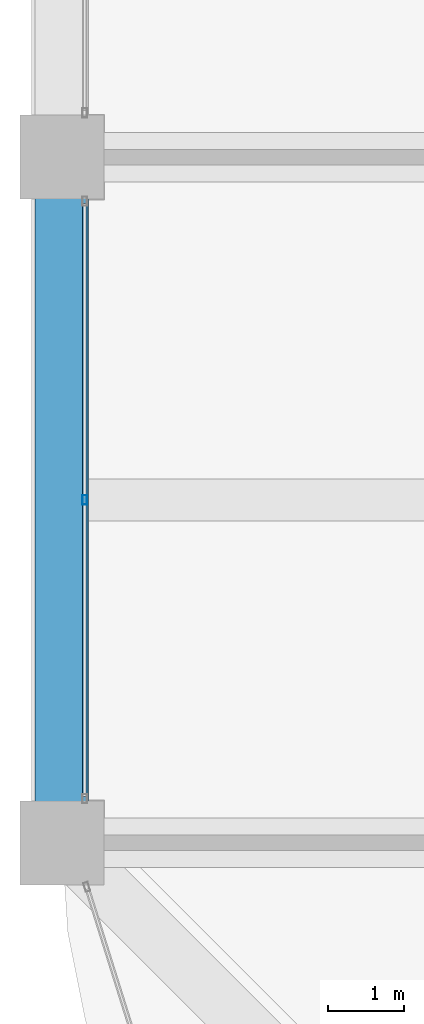
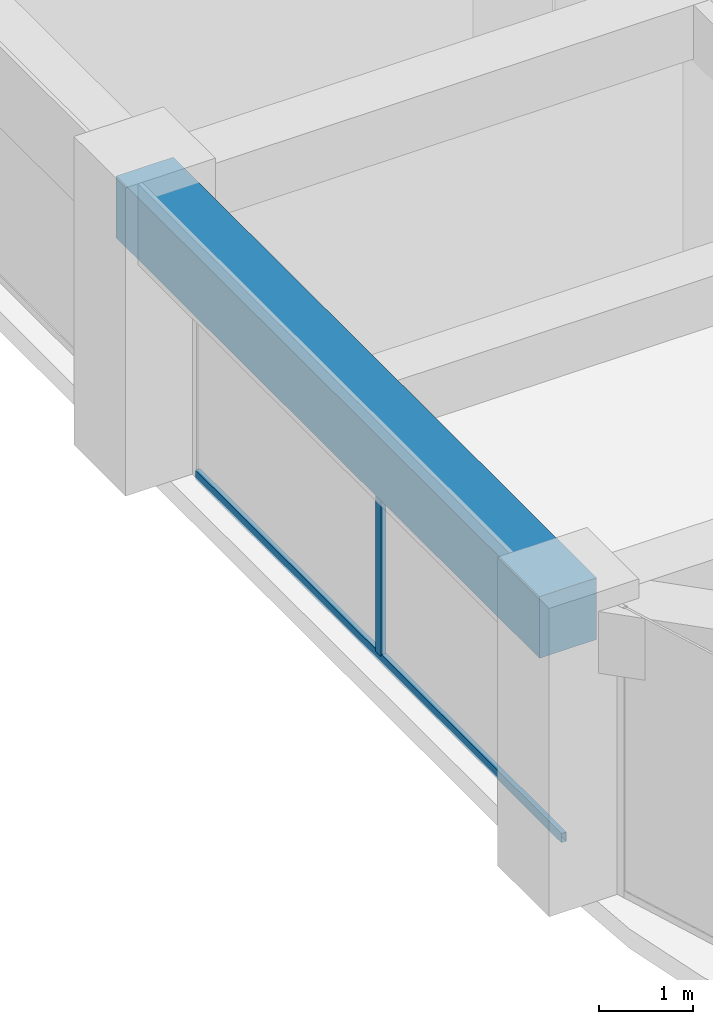
# One storey, part 7 of 44: 2 members, 1 beam, 1 element without a shape of its own.
"""IFC4 building model written with IfcOpenShell, lengths in metres."""

from ifc_helpers import new_model, si_unit, direction, frame, origin, origin_2d, place, context, subcontext, project, spatial, rectangle, hollow_rectangle, extrude, material, material_profile, profile_set, type_object, element, aggregate, save


model = new_model("IFC4")

# Units and contexts
model_context = context("Model", 3, precision=1e-05, world=origin(), true_north=direction((0.0, 1.0)))
body_context = subcontext(model_context, "Body", "Model", "MODEL_VIEW")
ifc_project = project(units=[si_unit("LENGTHUNIT", "METRE"), si_unit("AREAUNIT", "SQUARE_METRE"), si_unit("VOLUMEUNIT", "CUBIC_METRE"), si_unit("PLANEANGLEUNIT", "RADIAN"), si_unit("MASSUNIT", "GRAM", prefix="KILO")], contexts=[model_context])

# Site, building, storey
site_placement = place(None, origin())
site = spatial("IfcSite", under=ifc_project, at=site_placement, CompositionType="ELEMENT")
building_placement = place(site_placement, origin())
building = spatial("IfcBuilding", under=site, at=building_placement, Name="Zorevar Civic Tower", CompositionType="ELEMENT")
storey_placement = place(building_placement, frame((0.0, 0.0, 263.39990234375)))
storey = spatial("IfcBuildingStorey", under=building, at=storey_placement, Name="L64", CompositionType="ELEMENT", Elevation=263.39990234375)

# Curtain wall, members
ifc_material_1 = material(Name="Dark grey solar-control glass in black aluminium frame", Category="aluminium")
curtain_wall_type = type_object("IfcCurtainWallType", Name="Curtain wall CW5 top zone", PredefinedType="NOTDEFINED", material=ifc_material_1)
curtain_wall_placement = place(storey_placement, origin())
curtain_wall = element("IfcCurtainWall", 1, at=curtain_wall_placement, inside=storey, type_object=curtain_wall_type, Name="CW5 L64", PredefinedType="NOTDEFINED")
ifc_material_2 = material(Name="Aluminium, black anodised", Category="aluminium")
ifc_material_profile_1 = material_profile(ifc_material_2, hollow_rectangle(XDim=0.06005859375, YDim=0.1201171875, WallThickness=0.0029296875, at=origin_2d()), Name="AL 120x60x3")
ifc_profile_set_1 = profile_set([ifc_material_profile_1], Name="Aluminium, black anodised")
member_type_1 = type_object("IfcMemberType", Name="CW5 mullion AL 120x60x3", PredefinedType="MULLION", material=ifc_profile_set_1)
member_1_placement = place(storey_placement, frame((9.300048828125, 13.5, 0.06005859375), z_axis=(0.0, 0.0, 1.0), x_axis=(-1.0, 0.0, 0.0)))
member_1 = element("IfcMember", 2, at=member_1_placement, type_object=member_type_1, Name="CW5 mullion 2", PredefinedType="MULLION", context=body_context, shape_type="SweptSolid", body=[
    extrude(hollow_rectangle(XDim=0.06005859375, YDim=0.1201171875, WallThickness=0.0029296875, at=origin_2d()), origin(), (0.0, 0.0, 1.0), 2.89013671875),
])
ifc_material_3 = material(Name="Aluminium, black anodised", Category="aluminium")
ifc_material_profile_2 = material_profile(ifc_material_3, hollow_rectangle(XDim=0.06005859375, YDim=0.1201171875, WallThickness=0.0029296875, at=origin_2d()), Name="AL 120x60x3")
ifc_profile_set_2 = profile_set([ifc_material_profile_2], Name="Aluminium, black anodised")
member_type_2 = type_object("IfcMemberType", Name="CW5 transom AL 120x60x3", PredefinedType="USERDEFINED", material=ifc_profile_set_2)
member_2_placement = place(storey_placement, frame((9.300048828125, 9.610107421875, 0.030029296875), z_axis=(0.0, 1.0, 0.0), x_axis=(-1.0, 0.0, 0.0)))
member_2 = element("IfcMember", 3, at=member_2_placement, type_object=member_type_2, Name="CW5 sill transom", ObjectType="TRANSOM", PredefinedType="USERDEFINED", context=body_context, shape_type="SweptSolid", body=[
    extrude(hollow_rectangle(XDim=0.06005859375, YDim=0.1201171875, WallThickness=0.0029296875, at=origin_2d()), origin(), (0.0, 0.0, 1.0), 7.77978515625),
])
aggregate(curtain_wall, [member_1, member_2])

# Beam
ifc_material_4 = material(Name="Concrete C50/60", Category="concrete")
ifc_material_profile_3 = material_profile(ifc_material_4, rectangle(XDim=0.699951171875, YDim=0.800048828125, at=origin_2d()), Name="RC 700x800")
ifc_profile_set_3 = profile_set([ifc_material_profile_3], Name="Concrete C50/60")
beam_type = type_object("IfcBeamType", Name="Edge beam RC 700x800", PredefinedType="SPANDREL", material=ifc_profile_set_3)
beam_placement = place(storey_placement, frame((9.0, 9.0, 3.35009765625), z_axis=(0.0, 1.0, 0.0), x_axis=(-1.0, 0.0, 0.0)))
element("IfcBeam", 4, at=beam_placement, inside=storey, type_object=beam_type, Name="Edge beam L65", PredefinedType="SPANDREL", context=body_context, shape_type="SweptSolid", body=[
    extrude(rectangle(XDim=0.699951171875, YDim=0.800048828125, at=origin_2d()), origin(), (0.0, 0.0, 1.0), 9.0),
])

save(model, "model.ifc")
